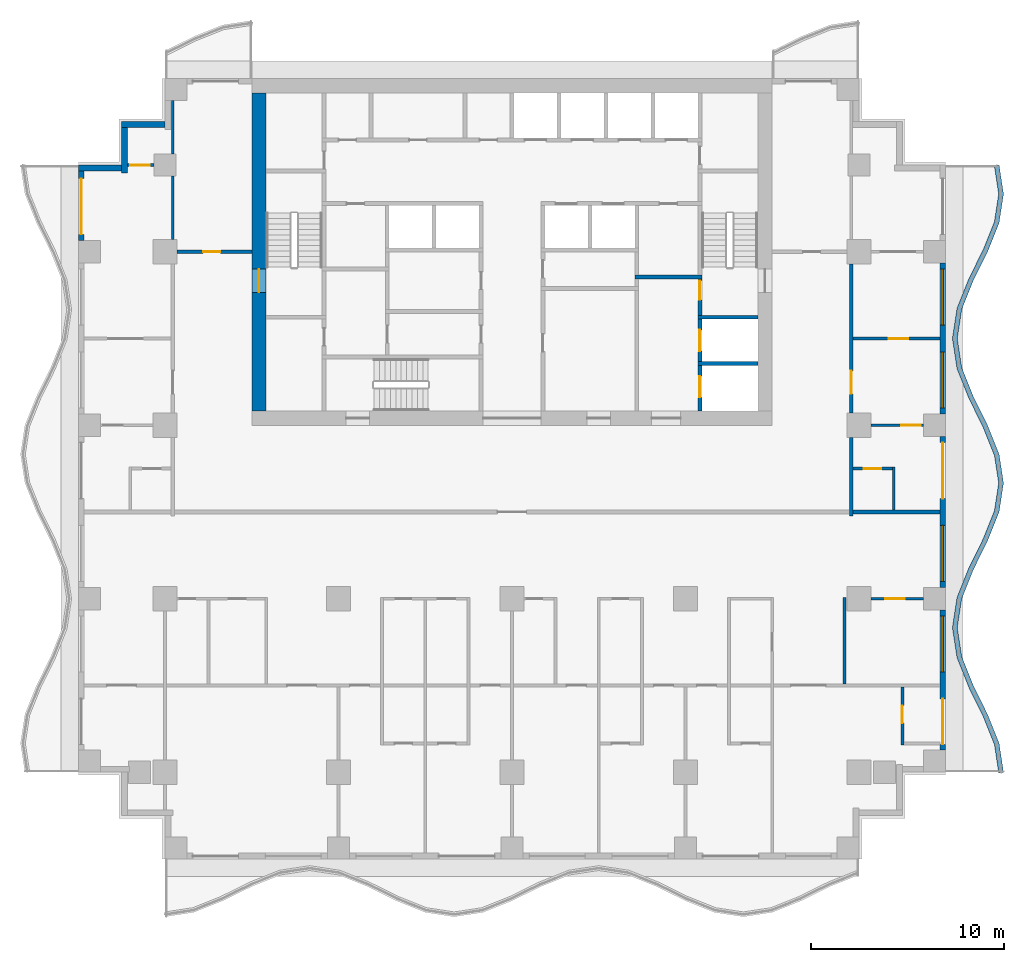
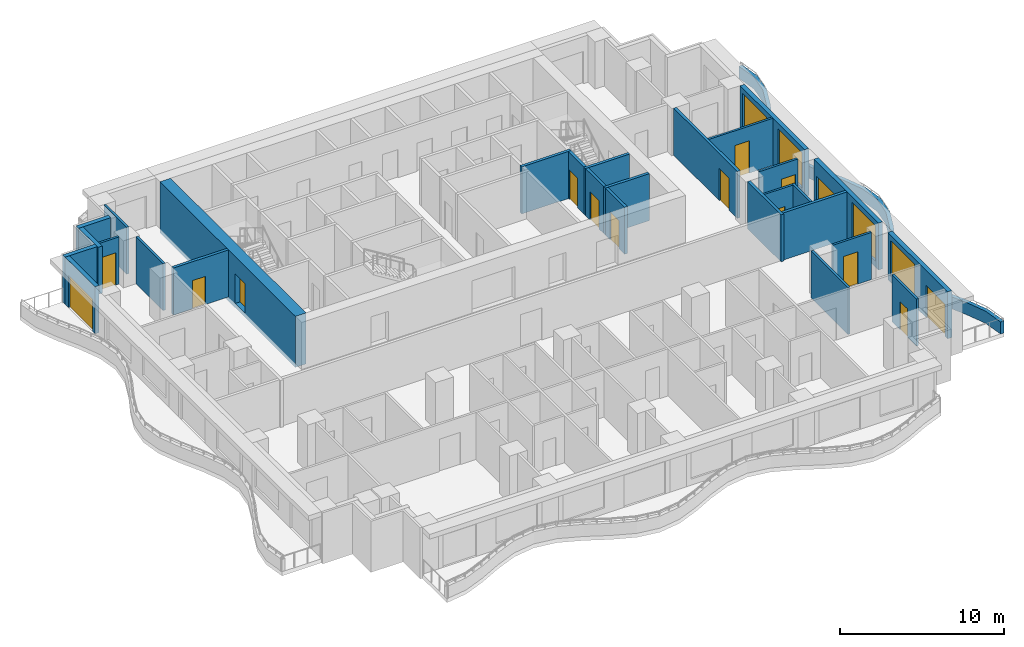
# One storey, part 4 of 10: 29 walls, 15 doors, 4 windows, 19 openings.
"""IFC4 building model written with IfcOpenShell, lengths in metres."""

import ifcopenshell
import ifcopenshell.guid

model = None  # the IFC model being written
_history = None  # IfcOwnerHistory: only IFC2X3 demands one
_inside = {}  # id of a spatial element -> (the spatial element, [elements in it])
_under = {}  # id of a project, library or spatial element -> (it, [spatial elements below it])
_declared = {}  # id of a project -> (the project, [libraries it declares])
_typed = {}  # id of a type object -> (the type object, [elements of that type])
_made_of = {}  # id of a material, layer set ... -> (it, [elements and type objects made of it])


def new_model(schema):
    """Start an empty IFC model of exactly this schema.

    Asked for "IFC4X3", IfcOpenShell would pick the latest addendum, in which some entities
    have other attributes; the version numbers below select the first issue.
    IFC2X3 requires an IfcOwnerHistory on every rooted entity: one is made here for all.
    """
    global model, _history
    if schema == "IFC4X3":
        model = ifcopenshell.file(schema_version=(4, 3, 0, 0))
    else:
        model = ifcopenshell.file(schema=schema)
    _inside.clear()
    _under.clear()
    _declared.clear()
    _typed.clear()
    _made_of.clear()
    _history = None
    if model.schema == "IFC2X3":
        org = make("IfcOrganization", Name="unknown")
        user = make(
            "IfcPersonAndOrganization",
            ThePerson=make("IfcPerson", FamilyName="unknown"),
            TheOrganization=org,
        )
        app = make(
            "IfcApplication",
            ApplicationDeveloper=org,
            Version="unknown",
            ApplicationFullName="unknown",
            ApplicationIdentifier="unknown",
        )
        _history = make(
            "IfcOwnerHistory",
            OwningUser=user,
            OwningApplication=app,
            ChangeAction="ADDED",
            CreationDate=0,
        )
    return model


def make(cls, **values):
    """One entity of the class cls with the attributes given. An attribute that is None is left unset."""
    return model.create_entity(
        cls, **{name: value for name, value in values.items() if value is not None}
    )


def rooted(cls, **values):
    """An entity with a GlobalId (a new one), such as an element, a storey or a relation."""
    return make(cls, GlobalId=ifcopenshell.guid.new(), OwnerHistory=_history, **values)


def si_unit(unit_type, name, prefix=None):
    """IfcSIUnit, for example si_unit("LENGTHUNIT", "METRE", prefix="MILLI")."""
    return make("IfcSIUnit", UnitType=unit_type, Prefix=prefix, Name=name)


def assignment(units):
    """IfcUnitAssignment: the units of a project."""
    return None if units is None else make("IfcUnitAssignment", Units=units)


def point(xyz):
    """IfcCartesianPoint."""
    return None if xyz is None else make("IfcCartesianPoint", Coordinates=xyz)


def direction(xyz):
    """IfcDirection."""
    return None if xyz is None else make("IfcDirection", DirectionRatios=xyz)


def frame(location, z_axis=None, x_axis=None):
    """IfcAxis2Placement3D, a coordinate frame: its origin and axes. An axis left out is left unset."""
    return make(
        "IfcAxis2Placement3D",
        Location=point(location),
        Axis=direction(z_axis),
        RefDirection=direction(x_axis),
    )


def frame_2d(location, x_axis=None):
    """IfcAxis2Placement2D, a coordinate frame in the plane: its origin and x axis."""
    return make(
        "IfcAxis2Placement2D", Location=point(location), RefDirection=direction(x_axis)
    )


def origin():
    """The frame at (0, 0, 0) with its axes left unset."""
    return frame((0.0, 0.0, 0.0))


def place(relative_to, where):
    """IfcLocalPlacement: puts the frame where relative to a parent placement (None: the world)."""
    return make(
        "IfcLocalPlacement", PlacementRelTo=relative_to, RelativePlacement=where
    )


def context(
    kind, dimensions, precision=None, world=None, true_north=None, identifier=None
):
    """IfcGeometricRepresentationContext, for example the 3D "Model" context."""
    return make(
        "IfcGeometricRepresentationContext",
        ContextIdentifier=identifier,
        ContextType=kind,
        CoordinateSpaceDimension=dimensions,
        Precision=precision,
        WorldCoordinateSystem=world,
        TrueNorth=true_north,
    )


def subcontext(parent, identifier, kind, view, scale=None):
    """IfcGeometricRepresentationSubContext, for example "Body" below "Model"."""
    return make(
        "IfcGeometricRepresentationSubContext",
        ContextIdentifier=identifier,
        ContextType=kind,
        ParentContext=parent,
        TargetScale=scale,
        TargetView=view,
    )


def project(units=None, contexts=None):
    """IfcProject with its units and contexts."""
    return rooted(
        "IfcProject",
        Name="project",
        RepresentationContexts=contexts,
        UnitsInContext=assignment(units),
    )


def spatial(cls, under=None, at=None, **own):
    """A site, building, storey or space (cls), placed at a placement, below another one or the project."""
    s = rooted(cls, ObjectPlacement=at, **own)
    if under is not None:
        _under.setdefault(under.id(), (under, []))[1].append(s)
    return s


def polyline(points):
    """IfcPolyline through the points."""
    return make("IfcPolyline", Points=[point(p) for p in points])


def profile(cls, at=None, kind="AREA", **sizes):
    """A parametric profile (cls). Its sizes go by their IFC names, for example OverallWidth=200.0."""
    return make(cls, ProfileType=kind, Position=at, **sizes)


def rectangle(**sizes):
    """IfcRectangleProfileDef."""
    return profile("IfcRectangleProfileDef", **sizes)


def outline(outer, holes=None, kind="AREA"):
    """IfcArbitraryClosedProfileDef: a profile drawn as a closed curve; with holes, ...WithVoids."""
    if holes is None:
        return make("IfcArbitraryClosedProfileDef", ProfileType=kind, OuterCurve=outer)
    return make(
        "IfcArbitraryProfileDefWithVoids",
        ProfileType=kind,
        OuterCurve=outer,
        InnerCurves=holes,
    )


def extrude(swept, where, along, depth):
    """IfcExtrudedAreaSolid: the profile swept, set in the frame where, extruded along a direction by depth."""
    return make(
        "IfcExtrudedAreaSolid",
        SweptArea=swept,
        Position=where,
        ExtrudedDirection=direction(along),
        Depth=depth,
    )


def shape(context_of_items, identifier, shape_type, items):
    """IfcShapeRepresentation: the items that make up one representation, for example the "Body"."""
    return make(
        "IfcShapeRepresentation",
        ContextOfItems=context_of_items,
        RepresentationIdentifier=identifier,
        RepresentationType=shape_type,
        Items=items,
    )


def material(Name=None, Category=None):
    """IfcMaterial."""
    return make("IfcMaterial", Name=Name, Category=Category)


def layer(
    of_material, thickness, ventilated=None, Name=None, Category=None, Priority=None
):
    """IfcMaterialLayer: one layer of a wall or slab, of a material (None: an air gap)."""
    return make(
        "IfcMaterialLayer",
        Material=of_material,
        LayerThickness=thickness,
        IsVentilated=ventilated,
        Name=Name,
        Category=Category,
        Priority=Priority,
    )


def layer_set(layers, Name=None):
    """IfcMaterialLayerSet."""
    return make("IfcMaterialLayerSet", MaterialLayers=layers, LayerSetName=Name)


def made_of(thing, what):
    """Note that an element or type object is made of a material, layer set ...; save() writes the relation."""
    if what is not None:
        _made_of.setdefault(what.id(), (what, []))[1].append(thing)
    return thing


def type_object(cls, material=None, **own):
    """A type object (cls), such as IfcWallType, which elements share."""
    return made_of(rooted(cls, **own), material)


def element(
    cls,
    number,
    at=None,
    inside=None,
    cuts=None,
    type_object=None,
    material=None,
    context=None,
    identifier="Body",
    shape_type=None,
    held_by="IfcProductDefinitionShape",
    body=None,
    shapes=None,
    **own,
):
    """One element of the class cls, such as IfcWall. Its Tag is "e" and its number.

    at: its placement. inside: the storey or other place that contains it. cuts: it is an
    opening in that element (IfcRelVoidsElement). A single representation is given by context,
    identifier, shape_type and body (its items); several are given by shapes. held_by: the class
    of the entity that holds the representations. save() writes the other relations.
    """
    e = rooted(cls, Tag="e%d" % number, ObjectPlacement=at, **own)
    if body is not None:
        shapes = [shape(context, identifier, shape_type, body)]
    if shapes is not None:
        e.Representation = make(held_by, Representations=shapes)
    if inside is not None:
        _inside.setdefault(inside.id(), (inside, []))[1].append(e)
    if cuts is not None:
        rooted(
            "IfcRelVoidsElement", RelatingBuildingElement=cuts, RelatedOpeningElement=e
        )
    if type_object is not None:
        _typed.setdefault(type_object.id(), (type_object, []))[1].append(e)
    return made_of(e, material)


def fill(opening, filler):
    """IfcRelFillsElement: the door or window that sits in an opening."""
    return rooted(
        "IfcRelFillsElement",
        RelatingOpeningElement=opening,
        RelatedBuildingElement=filler,
    )


def aggregate(whole, parts):
    """IfcRelAggregates: a whole, such as a stair, and the parts it consists of."""
    return rooted("IfcRelAggregates", RelatingObject=whole, RelatedObjects=parts)


def save(model, path):
    """Write the relations noted so far, then the file.

    IfcRelAggregates (storeys below a building ...), IfcRelContainedInSpatialStructure (elements
    in a storey), IfcRelDefinesByType, IfcRelAssociatesMaterial and IfcRelDeclares: one each for
    every whole, place, type object, material and project.
    """
    for whole, parts in _under.values():
        aggregate(whole, parts)
    for where, things in _inside.values():
        rooted(
            "IfcRelContainedInSpatialStructure",
            RelatedElements=things,
            RelatingStructure=where,
        )
    for kind, things in _typed.values():
        rooted("IfcRelDefinesByType", RelatedObjects=things, RelatingType=kind)
    for what, things in _made_of.values():
        rooted("IfcRelAssociatesMaterial", RelatedObjects=things, RelatingMaterial=what)
    for by, libraries in _declared.values():
        rooted("IfcRelDeclares", RelatingContext=by, RelatedDefinitions=libraries)
    model.write(path)


model = new_model("IFC4")

# Units and contexts
model_context = context("Model", 3, precision=1e-05, world=origin(), true_north=direction((0.0, 1.0)))
body_context = subcontext(model_context, "Body", "Model", "MODEL_VIEW")
ifc_project = project(units=[si_unit("LENGTHUNIT", "METRE"), si_unit("AREAUNIT", "SQUARE_METRE"), si_unit("VOLUMEUNIT", "CUBIC_METRE"), si_unit("PLANEANGLEUNIT", "RADIAN"), si_unit("MASSUNIT", "GRAM", prefix="KILO")], contexts=[model_context])

# Site, building, storey
site_placement = place(None, origin())
site = spatial("IfcSite", under=ifc_project, at=site_placement, CompositionType="ELEMENT")
building_placement = place(site_placement, origin())
building = spatial("IfcBuilding", under=site, at=building_placement, Name="Orbiselva Terraces", CompositionType="ELEMENT")
storey_placement = place(building_placement, frame((0.0, 0.0, 151.6)))
storey = spatial("IfcBuildingStorey", under=building, at=storey_placement, Name="L38", CompositionType="ELEMENT", Elevation=151.6)

# Wall, opening, door
ifc_material_1 = material(Name="Concrete C80/95", Category="concrete")
ifc_layer_1 = layer(ifc_material_1, 0.75)
ifc_layer_set_1 = layer_set([ifc_layer_1], Name="Concrete C80/95")
wall_type_1 = type_object("IfcWallType", Name="CORE WALL 750", PredefinedType="SHEAR", material=ifc_layer_set_1)
wall_1_placement = place(storey_placement, frame((-13.125, 21.75, -0.3), z_axis=(0.0, 0.0, 1.0), x_axis=(0.0, -1.0, 0.0)))
wall_1 = element("IfcWall", 1, at=wall_1_placement, inside=storey, type_object=wall_type_1, Name="Core wall L38 west", PredefinedType="SHEAR", context=body_context, shape_type="SweptSolid", body=[
    extrude(rectangle(XDim=16.5, YDim=0.75, at=frame_2d((8.25, 0.0))), origin(), (0.0, 0.0, 1.0), 3.8),
])
opening_1_placement = place(wall_1_placement, frame((9.15, 0.0, 0.3)))
opening_1 = element("IfcOpeningElement", 2, at=opening_1_placement, cuts=wall_1, Name="Opening DS1200", PredefinedType="OPENING", context=body_context, shape_type="SweptSolid", body=[
    extrude(rectangle(XDim=1.2, YDim=2.2, at=frame_2d((0.6, 1.1))), frame((0.0, 0.385, 0.0), z_axis=(0.0, -1.0, 0.0), x_axis=(1.0, 0.0, 0.0)), (0.0, 0.0, 1.0), 0.77),
])
ifc_material_2 = material(Name="Steel fire door", Category="steel")
door_type_1 = type_object("IfcDoorType", Name="STAIR DOOR 1200", OperationType="NOTDEFINED", PredefinedType="DOOR", material=ifc_material_2)
door_1_placement = place(opening_1_placement, frame((1.2, 0.0, 0.0), z_axis=(0.0, 0.0, 1.0), x_axis=(-1.0, 0.0, 0.0)))
door_1 = element("IfcDoor", 3, at=door_1_placement, inside=storey, type_object=door_type_1, Name="L38 EXIT STAIR S1 door", OperationType="SINGLE_SWING_RIGHT", OverallHeight=2.2, OverallWidth=1.2, PredefinedType="DOOR", context=body_context, shape_type="SweptSolid", body=[
    extrude(rectangle(XDim=1.2, YDim=2.2, at=frame_2d((0.6, 1.1))), frame((0.0, 0.025, 0.0), z_axis=(0.0, -1.0, 0.0), x_axis=(1.0, 0.0, 0.0)), (0.0, 0.0, 1.0), 0.05),
])
fill(opening_1, door_1)

# Wall
ifc_material_3 = material(Name="Concrete C60/75", Category="concrete")
ifc_layer_2 = layer(ifc_material_3, 0.2)
ifc_layer_set_2 = layer_set([ifc_layer_2], Name="Concrete C60/75")
wall_type_2 = type_object("IfcWallType", Name="CORE-WALL-SHEAR-200", PredefinedType="SHEAR", material=ifc_layer_set_2)
wall_2_placement = place(storey_placement, frame((6.375, 12.2, 0.0), z_axis=(0.0, 0.0, 1.0), x_axis=(1.0, 0.0, 0.0)))
element("IfcWall", 4, at=wall_2_placement, inside=storey, type_object=wall_type_2, Name="L38 core wall 39", PredefinedType="SHEAR", context=body_context, shape_type="SweptSolid", body=[
    extrude(rectangle(XDim=3.475, YDim=0.2, at=frame_2d((1.7375, 0.0))), origin(), (0.0, 0.0, 1.0), 3.5),
])

# Wall, opening, door
wall_3_placement = place(storey_placement, frame((9.75, 5.25, 0.0), z_axis=(0.0, 0.0, 1.0), x_axis=(0.0, 1.0, 0.0)))
wall_3 = element("IfcWall", 5, at=wall_3_placement, inside=storey, type_object=wall_type_2, Name="L38 core wall 43", PredefinedType="SHEAR", context=body_context, shape_type="SweptSolid", body=[
    extrude(rectangle(XDim=2.35, YDim=0.2, at=frame_2d((1.175, 0.0))), origin(), (0.0, 0.0, 1.0), 3.5),
])
opening_2_placement = place(wall_3_placement, frame((0.7, 0.0, 0.0)))
opening_2 = element("IfcOpeningElement", 6, at=opening_2_placement, cuts=wall_3, Name="Opening LD-FF1", PredefinedType="OPENING", context=body_context, shape_type="SweptSolid", body=[
    extrude(rectangle(XDim=1.1, YDim=2.1, at=frame_2d((0.55, 1.05))), frame((0.0, 0.11, 0.0), z_axis=(0.0, -1.0, 0.0), x_axis=(1.0, 0.0, 0.0)), (0.0, 0.0, 1.0), 0.22),
])
ifc_material_4 = material(Name="Stainless steel landing door", Category="steel")
door_type_2 = type_object("IfcDoorType", Name="LANDING DOOR 1100", OperationType="SLIDING_TO_LEFT", PredefinedType="DOOR", material=ifc_material_4)
door_2_placement = place(opening_2_placement, origin())
door_2 = element("IfcDoor", 7, at=door_2_placement, inside=storey, type_object=door_type_2, Name="L38 landing door FF1", OperationType="SLIDING_TO_RIGHT", OverallHeight=2.1, OverallWidth=1.1, PredefinedType="DOOR", context=body_context, shape_type="SweptSolid", body=[
    extrude(rectangle(XDim=1.1, YDim=2.1, at=frame_2d((0.55, 1.05))), frame((0.0, 0.025, 0.0), z_axis=(0.0, -1.0, 0.0), x_axis=(1.0, 0.0, 0.0)), (0.0, 0.0, 1.0), 0.05),
])
fill(opening_2, door_2)

# Wall
wall_4_placement = place(storey_placement, frame((9.65, 7.7, 0.0), z_axis=(0.0, 0.0, 1.0), x_axis=(1.0, 0.0, 0.0)))
element("IfcWall", 8, at=wall_4_placement, inside=storey, type_object=wall_type_2, Name="L38 core wall 44", PredefinedType="SHEAR", context=body_context, shape_type="SweptSolid", body=[
    extrude(rectangle(XDim=3.1, YDim=0.2, at=frame_2d((1.55, 0.0))), origin(), (0.0, 0.0, 1.0), 3.5),
])

# Wall, opening, door
wall_5_placement = place(storey_placement, frame((9.75, 7.8, 0.0), z_axis=(0.0, 0.0, 1.0), x_axis=(0.0, 1.0, 0.0)))
wall_5 = element("IfcWall", 9, at=wall_5_placement, inside=storey, type_object=wall_type_2, Name="L38 core wall 45", PredefinedType="SHEAR", context=body_context, shape_type="SweptSolid", body=[
    extrude(rectangle(XDim=2.2, YDim=0.2, at=frame_2d((1.1, 0.0))), origin(), (0.0, 0.0, 1.0), 3.5),
])
opening_3_placement = place(wall_5_placement, frame((0.55, 0.0, 0.0)))
opening_3 = element("IfcOpeningElement", 10, at=opening_3_placement, cuts=wall_5, Name="Opening LD-FF2", PredefinedType="OPENING", context=body_context, shape_type="SweptSolid", body=[
    extrude(rectangle(XDim=1.1, YDim=2.1, at=frame_2d((0.55, 1.05))), frame((0.0, 0.11, 0.0), z_axis=(0.0, -1.0, 0.0), x_axis=(1.0, 0.0, 0.0)), (0.0, 0.0, 1.0), 0.22),
])
door_3_placement = place(opening_3_placement, origin())
door_3 = element("IfcDoor", 11, at=door_3_placement, inside=storey, type_object=door_type_2, Name="L38 landing door FF2", OperationType="SLIDING_TO_RIGHT", OverallHeight=2.1, OverallWidth=1.1, PredefinedType="DOOR", context=body_context, shape_type="SweptSolid", body=[
    extrude(rectangle(XDim=1.1, YDim=2.1, at=frame_2d((0.55, 1.05))), frame((0.0, 0.025, 0.0), z_axis=(0.0, -1.0, 0.0), x_axis=(1.0, 0.0, 0.0)), (0.0, 0.0, 1.0), 0.05),
])
fill(opening_3, door_3)

# Wall
wall_6_placement = place(storey_placement, frame((9.65, 10.1, 0.0), z_axis=(0.0, 0.0, 1.0), x_axis=(1.0, 0.0, 0.0)))
element("IfcWall", 12, at=wall_6_placement, inside=storey, type_object=wall_type_2, Name="L38 core wall 46", PredefinedType="SHEAR", context=body_context, shape_type="SweptSolid", body=[
    extrude(rectangle(XDim=3.1, YDim=0.2, at=frame_2d((1.55, 0.0))), origin(), (0.0, 0.0, 1.0), 3.5),
])

# Wall, opening, door
wall_7_placement = place(storey_placement, frame((9.75, 12.1, 0.0), z_axis=(0.0, 0.0, 1.0), x_axis=(0.0, -1.0, 0.0)))
wall_7 = element("IfcWall", 13, at=wall_7_placement, inside=storey, type_object=wall_type_2, Name="L38 core wall 47", PredefinedType="SHEAR", context=body_context, shape_type="SweptSolid", body=[
    extrude(rectangle(XDim=1.9, YDim=0.2, at=frame_2d((0.95, 0.0))), origin(), (0.0, 0.0, 1.0), 3.5),
])
opening_4_placement = place(wall_7_placement, frame((0.1, 0.0, 0.0)))
opening_4 = element("IfcOpeningElement", 14, at=opening_4_placement, cuts=wall_7, Name="Opening DS1000", PredefinedType="OPENING", context=body_context, shape_type="SweptSolid", body=[
    extrude(rectangle(XDim=1.0, YDim=2.2, at=frame_2d((0.5, 1.1))), frame((0.0, 0.11, 0.0), z_axis=(0.0, -1.0, 0.0), x_axis=(1.0, 0.0, 0.0)), (0.0, 0.0, 1.0), 0.22),
])
door_type_3 = type_object("IfcDoorType", Name="STAIR DOOR 1000", OperationType="NOTDEFINED", PredefinedType="DOOR", material=ifc_material_2)
door_4_placement = place(opening_4_placement, origin())
door_4 = element("IfcDoor", 15, at=door_4_placement, inside=storey, type_object=door_type_3, Name="L38 FIRE-FIGHTING LOBBY TO EXIT STAIR S2 door", OperationType="SINGLE_SWING_LEFT", OverallHeight=2.2, OverallWidth=1.0, PredefinedType="DOOR", context=body_context, shape_type="SweptSolid", body=[
    extrude(rectangle(XDim=1.0, YDim=2.2, at=frame_2d((0.5, 1.1))), frame((0.0, 0.025, 0.0), z_axis=(0.0, -1.0, 0.0), x_axis=(1.0, 0.0, 0.0)), (0.0, 0.0, 1.0), 0.05),
])
fill(opening_4, door_4)

# Wall
ifc_material_5 = material(Name="Concrete C40/50", Category="concrete")
ifc_layer_3 = layer(ifc_material_5, 0.25)
ifc_layer_set_3 = layer_set([ifc_layer_3], Name="Concrete C40/50")
wall_type_3 = type_object("IfcWallType", Name="ENV-PLANTER-250x900", PredefinedType="USERDEFINED", material=ifc_layer_set_3)
wall_8_placement = place(storey_placement, origin())
element("IfcWall", 16, at=wall_8_placement, inside=storey, type_object=wall_type_3, Name="Balcony planter L38 E", ObjectType="PLANTER", PredefinedType="USERDEFINED", context=body_context, shape_type="SweptSolid", body=[
    extrude(outline(polyline([(25.5, -13.5), (25.27082, -12.0), (24.67082, -10.5), (23.92918, -9.0), (23.32918, -7.5), (23.1, -6.0), (23.32918, -4.5), (23.92918, -3.0), (24.67082, -1.5), (25.27082, 0.0), (25.5, 1.5), (25.27082, 3.0), (24.67082, 4.5), (23.92918, 6.0), (23.32918, 7.5), (23.1, 9.0), (23.32918, 10.5), (23.92918, 12.0), (24.67082, 13.5), (25.27082, 15.0), (25.5, 16.5), (25.27082, 18.0), (25.023688, 17.962242), (25.247099, 16.5), (25.028028, 15.066166), (24.442355, 13.601983), (23.700715, 12.101983), (23.086388, 10.566166), (22.847099, 9.0), (23.086388, 7.433834), (23.700715, 5.898017), (24.442355, 4.398017), (25.028028, 2.933834), (25.247099, 1.5), (25.028028, 0.066166), (24.442355, -1.398017), (23.700715, -2.898017), (23.086388, -4.433834), (22.847099, -6.0), (23.086388, -7.566166), (23.700715, -9.101983), (24.442355, -10.601983), (25.028028, -12.066166), (25.252868, -13.537758), (25.5, -13.5)])), origin(), (0.0, 0.0, 1.0), 0.9),
])

# Wall, openings, door, window
ifc_material_6 = material(Name="Terracotta cladding on masonry backing", Category="masonry")
ifc_layer_4 = layer(ifc_material_6, 0.3)
ifc_layer_set_4 = layer_set([ifc_layer_4], Name="Terracotta cladding on masonry backing")
wall_type_4 = type_object("IfcWallType", Name="ENV-WALL-TERRACOTTA-300", PredefinedType="SOLIDWALL", material=ifc_layer_set_4)
wall_9_placement = place(storey_placement, frame((22.35, -5.075, 0.0), z_axis=(0.0, 0.0, 1.0), x_axis=(0.0, -1.0, 0.0)))
wall_9 = element("IfcWall", 17, at=wall_9_placement, inside=storey, type_object=wall_type_4, Name="Facade wall L38 E", PredefinedType="SOLIDWALL", context=body_context, shape_type="SweptSolid", body=[
    extrude(rectangle(XDim=7.275, YDim=0.3, at=frame_2d((3.6375, 0.0))), origin(), (0.0, 0.0, 1.0), 3.5),
])
opening_5_placement = place(wall_9_placement, frame((4.625, 0.0, 0.0)))
opening_5 = element("IfcOpeningElement", 18, at=opening_5_placement, cuts=wall_9, Name="Opening Z3-C-E05", PredefinedType="OPENING", context=body_context, shape_type="SweptSolid", body=[
    extrude(rectangle(XDim=2.35, YDim=2.4, at=frame_2d((1.175, 1.2))), frame((0.0, 0.16, 0.0), z_axis=(0.0, -1.0, 0.0), x_axis=(1.0, 0.0, 0.0)), (0.0, 0.0, 1.0), 0.32),
])
opening_6_placement = place(wall_9_placement, frame((0.325, 0.0, 0.45)))
opening_6 = element("IfcOpeningElement", 19, at=opening_6_placement, cuts=wall_9, Name="Opening WN8", PredefinedType="OPENING", context=body_context, shape_type="SweptSolid", body=[
    extrude(rectangle(XDim=2.9, YDim=2.65, at=frame_2d((1.45, 1.325))), frame((0.0, 0.16, 0.0), z_axis=(0.0, -1.0, 0.0), x_axis=(1.0, 0.0, 0.0)), (0.0, 0.0, 1.0), 0.32),
])
ifc_material_7 = material(Name="Clear low-e glazing in aluminium frame", Category="aluminium")
door_type_4 = type_object("IfcDoorType", Name="BALCONY DOOR 2350 X 2400", OperationType="DOUBLE_DOOR_SLIDING", PredefinedType="DOOR", material=ifc_material_7)
door_5_placement = place(opening_5_placement, origin())
door_5 = element("IfcDoor", 20, at=door_5_placement, inside=storey, type_object=door_type_4, Name="Z3-C-E05", OperationType="SINGLE_SWING_LEFT", OverallHeight=2.4, OverallWidth=2.35, PredefinedType="DOOR", context=body_context, shape_type="SweptSolid", body=[
    extrude(rectangle(XDim=2.35, YDim=2.4, at=frame_2d((1.175, 1.2))), frame((0.0, 0.025, 0.0), z_axis=(0.0, -1.0, 0.0), x_axis=(1.0, 0.0, 0.0)), (0.0, 0.0, 1.0), 0.05),
])
fill(opening_5, door_5)
window_type = type_object("IfcWindowType", Name="WINDOW 2900 X 2650 S450", PartitioningType="TRIPLE_PANEL_VERTICAL", PredefinedType="WINDOW", material=ifc_material_7)
window_1_placement = place(opening_6_placement, origin())
window_1 = element("IfcWindow", 21, at=window_1_placement, inside=storey, type_object=window_type, Name="Window L38 E", OverallHeight=2.65, OverallWidth=2.9, PartitioningType="SINGLE_PANEL", PredefinedType="WINDOW", context=body_context, shape_type="SweptSolid", body=[
    extrude(rectangle(XDim=2.9, YDim=2.65, at=frame_2d((1.45, 1.325))), frame((0.0, 0.03, 0.0), z_axis=(0.0, -1.0, 0.0), x_axis=(1.0, 0.0, 0.0)), (0.0, 0.0, 1.0), 0.06),
])
fill(opening_6, window_1)

wall_10_placement = place(storey_placement, frame((22.35, 3.925, 0.0), z_axis=(0.0, 0.0, 1.0), x_axis=(0.0, -1.0, 0.0)))
wall_10 = element("IfcWall", 22, at=wall_10_placement, inside=storey, type_object=wall_type_4, Name="Facade wall L38 E", PredefinedType="SOLIDWALL", context=body_context, shape_type="SweptSolid", body=[
    extrude(rectangle(XDim=7.85, YDim=0.3, at=frame_2d((3.925, 0.0))), origin(), (0.0, 0.0, 1.0), 3.5),
])
opening_7_placement = place(wall_10_placement, frame((4.625, 0.0, 0.45)))
opening_7 = element("IfcOpeningElement", 23, at=opening_7_placement, cuts=wall_10, Name="Opening WN8", PredefinedType="OPENING", context=body_context, shape_type="SweptSolid", body=[
    extrude(rectangle(XDim=2.9, YDim=2.65, at=frame_2d((1.45, 1.325))), frame((0.0, 0.16, 0.0), z_axis=(0.0, -1.0, 0.0), x_axis=(1.0, 0.0, 0.0)), (0.0, 0.0, 1.0), 0.32),
])
opening_8_placement = place(wall_10_placement, frame((0.325, 0.0, 0.0)))
opening_8 = element("IfcOpeningElement", 24, at=opening_8_placement, cuts=wall_10, Name="Opening Z3-C-E06", PredefinedType="OPENING", context=body_context, shape_type="SweptSolid", body=[
    extrude(rectangle(XDim=2.9, YDim=2.4, at=frame_2d((1.45, 1.2))), frame((0.0, 0.16, 0.0), z_axis=(0.0, -1.0, 0.0), x_axis=(1.0, 0.0, 0.0)), (0.0, 0.0, 1.0), 0.32),
])
door_type_5 = type_object("IfcDoorType", Name="BALCONY DOOR 2900 X 2400", OperationType="DOUBLE_DOOR_SLIDING", PredefinedType="DOOR", material=ifc_material_7)
door_6_placement = place(opening_8_placement, origin())
door_6 = element("IfcDoor", 25, at=door_6_placement, inside=storey, type_object=door_type_5, Name="Z3-C-E06", OperationType="SINGLE_SWING_LEFT", OverallHeight=2.4, OverallWidth=2.9, PredefinedType="DOOR", context=body_context, shape_type="SweptSolid", body=[
    extrude(rectangle(XDim=2.9, YDim=2.4, at=frame_2d((1.45, 1.2))), frame((0.0, 0.025, 0.0), z_axis=(0.0, -1.0, 0.0), x_axis=(1.0, 0.0, 0.0)), (0.0, 0.0, 1.0), 0.05),
])
fill(opening_8, door_6)
window_2_placement = place(opening_7_placement, origin())
window_2 = element("IfcWindow", 26, at=window_2_placement, inside=storey, type_object=window_type, Name="Window L38 E", OverallHeight=2.65, OverallWidth=2.9, PartitioningType="SINGLE_PANEL", PredefinedType="WINDOW", context=body_context, shape_type="SweptSolid", body=[
    extrude(rectangle(XDim=2.9, YDim=2.65, at=frame_2d((1.45, 1.325))), frame((0.0, 0.03, 0.0), z_axis=(0.0, -1.0, 0.0), x_axis=(1.0, 0.0, 0.0)), (0.0, 0.0, 1.0), 0.06),
])
fill(opening_7, window_2)

# Wall, openings, windows
wall_11_placement = place(storey_placement, frame((22.35, 12.925, 0.0), z_axis=(0.0, 0.0, 1.0), x_axis=(0.0, -1.0, 0.0)))
wall_11 = element("IfcWall", 27, at=wall_11_placement, inside=storey, type_object=wall_type_4, Name="Facade wall L38 E", PredefinedType="SOLIDWALL", context=body_context, shape_type="SweptSolid", body=[
    extrude(rectangle(XDim=7.85, YDim=0.3, at=frame_2d((3.925, 0.0))), origin(), (0.0, 0.0, 1.0), 3.5),
])
opening_9_placement = place(wall_11_placement, frame((4.625, 0.0, 0.45)))
opening_9 = element("IfcOpeningElement", 28, at=opening_9_placement, cuts=wall_11, Name="Opening WN8", PredefinedType="OPENING", context=body_context, shape_type="SweptSolid", body=[
    extrude(rectangle(XDim=2.9, YDim=2.65, at=frame_2d((1.45, 1.325))), frame((0.0, 0.16, 0.0), z_axis=(0.0, -1.0, 0.0), x_axis=(1.0, 0.0, 0.0)), (0.0, 0.0, 1.0), 0.32),
])
opening_10_placement = place(wall_11_placement, frame((0.325, 0.0, 0.45)))
opening_10 = element("IfcOpeningElement", 29, at=opening_10_placement, cuts=wall_11, Name="Opening WN8", PredefinedType="OPENING", context=body_context, shape_type="SweptSolid", body=[
    extrude(rectangle(XDim=2.9, YDim=2.65, at=frame_2d((1.45, 1.325))), frame((0.0, 0.16, 0.0), z_axis=(0.0, -1.0, 0.0), x_axis=(1.0, 0.0, 0.0)), (0.0, 0.0, 1.0), 0.32),
])
window_3_placement = place(opening_9_placement, origin())
window_3 = element("IfcWindow", 30, at=window_3_placement, inside=storey, type_object=window_type, Name="Window L38 E", OverallHeight=2.65, OverallWidth=2.9, PartitioningType="SINGLE_PANEL", PredefinedType="WINDOW", context=body_context, shape_type="SweptSolid", body=[
    extrude(rectangle(XDim=2.9, YDim=2.65, at=frame_2d((1.45, 1.325))), frame((0.0, 0.03, 0.0), z_axis=(0.0, -1.0, 0.0), x_axis=(1.0, 0.0, 0.0)), (0.0, 0.0, 1.0), 0.06),
])
fill(opening_9, window_3)
window_4_placement = place(opening_10_placement, origin())
window_4 = element("IfcWindow", 31, at=window_4_placement, inside=storey, type_object=window_type, Name="Window L38 E", OverallHeight=2.65, OverallWidth=2.9, PartitioningType="SINGLE_PANEL", PredefinedType="WINDOW", context=body_context, shape_type="SweptSolid", body=[
    extrude(rectangle(XDim=2.9, YDim=2.65, at=frame_2d((1.45, 1.325))), frame((0.0, 0.03, 0.0), z_axis=(0.0, -1.0, 0.0), x_axis=(1.0, 0.0, 0.0)), (0.0, 0.0, 1.0), 0.06),
])
fill(opening_10, window_4)

# Walls
wall_12_placement = place(storey_placement, frame((-20.25, 20.1, 0.0), z_axis=(0.0, 0.0, 1.0), x_axis=(1.0, 0.0, 0.0)))
element("IfcWall", 32, at=wall_12_placement, inside=storey, type_object=wall_type_4, Name="Facade wall L38 STEP", PredefinedType="SOLIDWALL", context=body_context, shape_type="SweptSolid", body=[
    extrude(rectangle(XDim=2.25, YDim=0.3, at=frame_2d((1.125, 0.0))), origin(), (0.0, 0.0, 1.0), 3.5),
])
wall_13_placement = place(storey_placement, frame((-20.1, 17.6, 0.0), z_axis=(0.0, 0.0, 1.0), x_axis=(0.0, 1.0, 0.0)))
element("IfcWall", 33, at=wall_13_placement, inside=storey, type_object=wall_type_4, Name="Facade wall L38 STEP", PredefinedType="SOLIDWALL", context=body_context, shape_type="SweptSolid", body=[
    extrude(rectangle(XDim=2.35, YDim=0.3, at=frame_2d((1.175, 0.0))), origin(), (0.0, 0.0, 1.0), 3.5),
])
wall_14_placement = place(storey_placement, frame((-22.5, 17.85, 0.0), z_axis=(0.0, 0.0, 1.0), x_axis=(1.0, 0.0, 0.0)))
element("IfcWall", 34, at=wall_14_placement, inside=storey, type_object=wall_type_4, Name="Facade wall L38 STEP", PredefinedType="SOLIDWALL", context=body_context, shape_type="SweptSolid", body=[
    extrude(rectangle(XDim=2.25, YDim=0.3, at=frame_2d((1.125, 0.0))), origin(), (0.0, 0.0, 1.0), 3.5),
])

# Wall, opening, door
wall_15_placement = place(storey_placement, frame((-22.35, 14.075, 0.0), z_axis=(0.0, 0.0, 1.0), x_axis=(0.0, 1.0, 0.0)))
wall_15 = element("IfcWall", 35, at=wall_15_placement, inside=storey, type_object=wall_type_4, Name="Facade wall L38 W", PredefinedType="SOLIDWALL", context=body_context, shape_type="SweptSolid", body=[
    extrude(rectangle(XDim=3.625, YDim=0.3, at=frame_2d((1.8125, 0.0))), origin(), (0.0, 0.0, 1.0), 3.5),
])
opening_11_placement = place(wall_15_placement, frame((0.325, 0.0, 0.0)))
opening_11 = element("IfcOpeningElement", 36, at=opening_11_placement, cuts=wall_15, Name="Opening Z3-C-E10", PredefinedType="OPENING", context=body_context, shape_type="SweptSolid", body=[
    extrude(rectangle(XDim=2.9, YDim=2.4, at=frame_2d((1.45, 1.2))), frame((0.0, 0.16, 0.0), z_axis=(0.0, -1.0, 0.0), x_axis=(1.0, 0.0, 0.0)), (0.0, 0.0, 1.0), 0.32),
])
door_7_placement = place(opening_11_placement, origin())
door_7 = element("IfcDoor", 37, at=door_7_placement, inside=storey, type_object=door_type_5, Name="Z3-C-E10", OperationType="SINGLE_SWING_LEFT", OverallHeight=2.4, OverallWidth=2.9, PredefinedType="DOOR", context=body_context, shape_type="SweptSolid", body=[
    extrude(rectangle(XDim=2.9, YDim=2.4, at=frame_2d((1.45, 1.2))), frame((0.0, 0.025, 0.0), z_axis=(0.0, -1.0, 0.0), x_axis=(1.0, 0.0, 0.0)), (0.0, 0.0, 1.0), 0.05),
])
fill(opening_11, door_7)

ifc_material_8 = material(Name="Plasterboard on steel stud partition", Category="steel")
ifc_layer_5 = layer(ifc_material_8, 0.2)
ifc_layer_set_5 = layer_set([ifc_layer_5], Name="Plasterboard on steel stud partition")
wall_type_5 = type_object("IfcWallType", Name="UNIT-ENTRANCE-WALL-200", PredefinedType="PARTITIONING", material=ifc_layer_set_5)
wall_16_placement = place(storey_placement, frame((-17.375, 13.5, 0.0), z_axis=(0.0, 0.0, 1.0), x_axis=(1.0, 0.0, 0.0)))
wall_16 = element("IfcWall", 38, at=wall_16_placement, inside=storey, type_object=wall_type_5, Name="PARTITION L38-031", PredefinedType="PARTITIONING", context=body_context, shape_type="SweptSolid", body=[
    extrude(rectangle(XDim=3.875, YDim=0.2, at=frame_2d((1.9375, 0.0))), origin(), (0.0, 0.0, 1.0), 3.5),
])
opening_12_placement = place(wall_16_placement, frame((1.35, 0.0, 0.0)))
opening_12 = element("IfcOpeningElement", 39, at=opening_12_placement, cuts=wall_16, Name="Opening Z3-C-01", PredefinedType="OPENING", context=body_context, shape_type="SweptSolid", body=[
    extrude(rectangle(XDim=0.9, YDim=2.1, at=frame_2d((0.45, 1.05))), frame((0.0, 0.11, 0.0), z_axis=(0.0, -1.0, 0.0), x_axis=(1.0, 0.0, 0.0)), (0.0, 0.0, 1.0), 0.22),
])
ifc_material_9 = material(Name="Painted timber door leaf", Category="wood")
door_type_6 = type_object("IfcDoorType", Name="SERVICE DOOR 900", OperationType="NOTDEFINED", PredefinedType="DOOR", material=ifc_material_9)
door_8_placement = place(opening_12_placement, origin())
door_8 = element("IfcDoor", 40, at=door_8_placement, inside=storey, type_object=door_type_6, Name="Z3-C-01", OperationType="SINGLE_SWING_LEFT", OverallHeight=2.1, OverallWidth=0.9, PredefinedType="DOOR", context=body_context, shape_type="SweptSolid", body=[
    extrude(rectangle(XDim=0.9, YDim=2.1, at=frame_2d((0.45, 1.05))), frame((0.0, 0.025, 0.0), z_axis=(0.0, -1.0, 0.0), x_axis=(1.0, 0.0, 0.0)), (0.0, 0.0, 1.0), 0.05),
])
fill(opening_12, door_8)

# Wall
wall_17_placement = place(storey_placement, frame((17.6, -0.2, 0.0), z_axis=(0.0, 0.0, 1.0), x_axis=(0.0, 1.0, 0.0)))
element("IfcWall", 41, at=wall_17_placement, inside=storey, type_object=wall_type_5, Name="PARTITION L38-059", PredefinedType="PARTITIONING", context=body_context, shape_type="SweptSolid", body=[
    extrude(rectangle(XDim=4.075, YDim=0.2, at=frame_2d((2.0375, 0.0))), origin(), (0.0, 0.0, 1.0), 3.5),
])

# Wall, opening, door
wall_18_placement = place(storey_placement, frame((17.6, 12.875, 0.0), z_axis=(0.0, 0.0, 1.0), x_axis=(0.0, -1.0, 0.0)))
wall_18 = element("IfcWall", 42, at=wall_18_placement, inside=storey, type_object=wall_type_5, Name="PARTITION L38-060", PredefinedType="PARTITIONING", context=body_context, shape_type="SweptSolid", body=[
    extrude(rectangle(XDim=7.75, YDim=0.2, at=frame_2d((3.875, 0.0))), origin(), (0.0, 0.0, 1.0), 3.5),
])
opening_13_placement = place(wall_18_placement, frame((5.55, 0.0, 0.0)))
opening_13 = element("IfcOpeningElement", 43, at=opening_13_placement, cuts=wall_18, Name="Opening Z3-C-10", PredefinedType="OPENING", context=body_context, shape_type="SweptSolid", body=[
    extrude(rectangle(XDim=1.2, YDim=2.4, at=frame_2d((0.6, 1.2))), frame((0.0, 0.11, 0.0), z_axis=(0.0, -1.0, 0.0), x_axis=(1.0, 0.0, 0.0)), (0.0, 0.0, 1.0), 0.22),
])
door_type_7 = type_object("IfcDoorType", Name="ENTRANCE DOOR 1200", OperationType="NOTDEFINED", PredefinedType="DOOR", material=ifc_material_9)
door_9_placement = place(opening_13_placement, origin())
door_9 = element("IfcDoor", 44, at=door_9_placement, inside=storey, type_object=door_type_7, Name="Z3-C-10", OperationType="SINGLE_SWING_RIGHT", OverallHeight=2.4, OverallWidth=1.2, PredefinedType="DOOR", context=body_context, shape_type="SweptSolid", body=[
    extrude(rectangle(XDim=1.2, YDim=2.4, at=frame_2d((0.6, 1.2))), frame((0.0, 0.025, 0.0), z_axis=(0.0, -1.0, 0.0), x_axis=(1.0, 0.0, 0.0)), (0.0, 0.0, 1.0), 0.05),
])
fill(opening_13, door_9)

ifc_layer_6 = layer(ifc_material_8, 0.15)
ifc_layer_set_6 = layer_set([ifc_layer_6], Name="Plasterboard on steel stud partition")
wall_type_6 = type_object("IfcWallType", Name="UNIT-PARTITION-150", PredefinedType="PARTITIONING", material=ifc_layer_set_6)
wall_19_placement = place(storey_placement, frame((21.35, -4.5, 0.0), z_axis=(0.0, 0.0, 1.0), x_axis=(-1.0, 0.0, 0.0)))
wall_19 = element("IfcWall", 45, at=wall_19_placement, inside=storey, type_object=wall_type_6, Name="PARTITION L38-021", PredefinedType="PARTITIONING", context=body_context, shape_type="SweptSolid", body=[
    extrude(rectangle(XDim=2.725, YDim=0.15, at=frame_2d((1.3625, 0.0))), origin(), (0.0, 0.0, 1.0), 3.5),
])
opening_14_placement = place(wall_19_placement, frame((0.975, 0.0, 0.0)))
opening_14 = element("IfcOpeningElement", 46, at=opening_14_placement, cuts=wall_19, Name="Opening Z3-C-14", PredefinedType="OPENING", context=body_context, shape_type="SweptSolid", body=[
    extrude(rectangle(XDim=1.0, YDim=2.4, at=frame_2d((0.5, 1.2))), frame((0.0, 0.085, 0.0), z_axis=(0.0, -1.0, 0.0), x_axis=(1.0, 0.0, 0.0)), (0.0, 0.0, 1.0), 0.17),
])
door_type_8 = type_object("IfcDoorType", Name="ROOM DOOR 1000", OperationType="NOTDEFINED", PredefinedType="DOOR", material=ifc_material_9)
door_10_placement = place(opening_14_placement, origin())
door_10 = element("IfcDoor", 47, at=door_10_placement, inside=storey, type_object=door_type_8, Name="Z3-C-14", OperationType="SINGLE_SWING_RIGHT", OverallHeight=2.4, OverallWidth=1.0, PredefinedType="DOOR", context=body_context, shape_type="SweptSolid", body=[
    extrude(rectangle(XDim=1.0, YDim=2.4, at=frame_2d((0.5, 1.2))), frame((0.0, 0.025, 0.0), z_axis=(0.0, -1.0, 0.0), x_axis=(1.0, 0.0, 0.0)), (0.0, 0.0, 1.0), 0.05),
])
fill(opening_14, door_10)

wall_20_placement = place(storey_placement, frame((19.73, 2.25, 0.0), z_axis=(0.0, 0.0, 1.0), x_axis=(-1.0, 0.0, 0.0)))
wall_20 = element("IfcWall", 48, at=wall_20_placement, inside=storey, type_object=wall_type_6, Name="PARTITION L38-026", PredefinedType="PARTITIONING", context=body_context, shape_type="SweptSolid", body=[
    extrude(rectangle(XDim=2.03, YDim=0.15, at=frame_2d((1.015, 0.0))), origin(), (0.0, 0.0, 1.0), 3.5),
])
opening_15_placement = place(wall_20_placement, frame((0.58, 0.0, 0.0)))
opening_15 = element("IfcOpeningElement", 49, at=opening_15_placement, cuts=wall_20, Name="Opening Z3-C-09", PredefinedType="OPENING", context=body_context, shape_type="SweptSolid", body=[
    extrude(rectangle(XDim=0.9, YDim=2.1, at=frame_2d((0.45, 1.05))), frame((0.0, 0.085, 0.0), z_axis=(0.0, -1.0, 0.0), x_axis=(1.0, 0.0, 0.0)), (0.0, 0.0, 1.0), 0.17),
])
door_type_9 = type_object("IfcDoorType", Name="BATH DOOR 900", OperationType="NOTDEFINED", PredefinedType="DOOR", material=ifc_material_9)
door_11_placement = place(opening_15_placement, origin())
door_11 = element("IfcDoor", 50, at=door_11_placement, inside=storey, type_object=door_type_9, Name="Z3-C-09", OperationType="SINGLE_SWING_RIGHT", OverallHeight=2.1, OverallWidth=0.9, PredefinedType="DOOR", context=body_context, shape_type="SweptSolid", body=[
    extrude(rectangle(XDim=0.9, YDim=2.1, at=frame_2d((0.45, 1.05))), frame((0.0, 0.025, 0.0), z_axis=(0.0, -1.0, 0.0), x_axis=(1.0, 0.0, 0.0)), (0.0, 0.0, 1.0), 0.05),
])
fill(opening_15, door_11)

wall_21_placement = place(storey_placement, frame((21.35, 4.5, 0.0), z_axis=(0.0, 0.0, 1.0), x_axis=(-1.0, 0.0, 0.0)))
wall_21 = element("IfcWall", 51, at=wall_21_placement, inside=storey, type_object=wall_type_6, Name="PARTITION L38-028", PredefinedType="PARTITIONING", context=body_context, shape_type="SweptSolid", body=[
    extrude(rectangle(XDim=2.725, YDim=0.15, at=frame_2d((1.3625, 0.0))), origin(), (0.0, 0.0, 1.0), 3.5),
])
opening_16_placement = place(wall_21_placement, frame((0.15, 0.0, 0.0)))
opening_16 = element("IfcOpeningElement", 52, at=opening_16_placement, cuts=wall_21, Name="Opening Z3-C-08", PredefinedType="OPENING", context=body_context, shape_type="SweptSolid", body=[
    extrude(rectangle(XDim=1.0, YDim=2.4, at=frame_2d((0.5, 1.2))), frame((0.0, 0.085, 0.0), z_axis=(0.0, -1.0, 0.0), x_axis=(1.0, 0.0, 0.0)), (0.0, 0.0, 1.0), 0.17),
])
door_12_placement = place(opening_16_placement, origin())
door_12 = element("IfcDoor", 53, at=door_12_placement, inside=storey, type_object=door_type_8, Name="Z3-C-08", OperationType="SINGLE_SWING_LEFT", OverallHeight=2.4, OverallWidth=1.0, PredefinedType="DOOR", context=body_context, shape_type="SweptSolid", body=[
    extrude(rectangle(XDim=1.0, YDim=2.4, at=frame_2d((0.5, 1.2))), frame((0.0, 0.025, 0.0), z_axis=(0.0, -1.0, 0.0), x_axis=(1.0, 0.0, 0.0)), (0.0, 0.0, 1.0), 0.05),
])
fill(opening_16, door_12)

wall_22_placement = place(storey_placement, frame((17.7, 9.0, 0.0), z_axis=(0.0, 0.0, 1.0), x_axis=(1.0, 0.0, 0.0)))
wall_22 = element("IfcWall", 54, at=wall_22_placement, inside=storey, type_object=wall_type_6, Name="PARTITION L38-030", PredefinedType="PARTITIONING", context=body_context, shape_type="SweptSolid", body=[
    extrude(rectangle(XDim=4.5, YDim=0.15, at=frame_2d((2.25, 0.0))), origin(), (0.0, 0.0, 1.0), 3.5),
])
opening_17_placement = place(wall_22_placement, frame((1.85, 0.0, 0.0)))
opening_17 = element("IfcOpeningElement", 55, at=opening_17_placement, cuts=wall_22, Name="Opening Z3-C-11", PredefinedType="OPENING", context=body_context, shape_type="SweptSolid", body=[
    extrude(rectangle(XDim=1.0, YDim=2.4, at=frame_2d((0.5, 1.2))), frame((0.0, 0.085, 0.0), z_axis=(0.0, -1.0, 0.0), x_axis=(1.0, 0.0, 0.0)), (0.0, 0.0, 1.0), 0.17),
])
door_13_placement = place(opening_17_placement, origin())
door_13 = element("IfcDoor", 56, at=door_13_placement, inside=storey, type_object=door_type_8, Name="Z3-C-11", OperationType="SINGLE_SWING_RIGHT", OverallHeight=2.4, OverallWidth=1.0, PredefinedType="DOOR", context=body_context, shape_type="SweptSolid", body=[
    extrude(rectangle(XDim=1.0, YDim=2.4, at=frame_2d((0.5, 1.2))), frame((0.0, 0.025, 0.0), z_axis=(0.0, -1.0, 0.0), x_axis=(1.0, 0.0, 0.0)), (0.0, 0.0, 1.0), 0.05),
])
fill(opening_17, door_13)

wall_23_placement = place(storey_placement, frame((-19.95, 18.0, 0.0), z_axis=(0.0, 0.0, 1.0), x_axis=(1.0, 0.0, 0.0)))
wall_23 = element("IfcWall", 57, at=wall_23_placement, inside=storey, type_object=wall_type_6, Name="PARTITION L38-034", PredefinedType="PARTITIONING", context=body_context, shape_type="SweptSolid", body=[
    extrude(rectangle(XDim=1.375, YDim=0.15, at=frame_2d((0.6875, 0.0))), origin(), (0.0, 0.0, 1.0), 3.5),
])
opening_18_placement = place(wall_23_placement, frame((0.15, 0.0, 0.0)))
opening_18 = element("IfcOpeningElement", 58, at=opening_18_placement, cuts=wall_23, Name="Opening Z3-C-07", PredefinedType="OPENING", context=body_context, shape_type="SweptSolid", body=[
    extrude(rectangle(XDim=1.0, YDim=2.4, at=frame_2d((0.5, 1.2))), frame((0.0, 0.085, 0.0), z_axis=(0.0, -1.0, 0.0), x_axis=(1.0, 0.0, 0.0)), (0.0, 0.0, 1.0), 0.17),
])
door_14_placement = place(opening_18_placement, origin())
door_14 = element("IfcDoor", 59, at=door_14_placement, inside=storey, type_object=door_type_8, Name="Z3-C-07", OperationType="SINGLE_SWING_LEFT", OverallHeight=2.4, OverallWidth=1.0, PredefinedType="DOOR", context=body_context, shape_type="SweptSolid", body=[
    extrude(rectangle(XDim=1.0, YDim=2.4, at=frame_2d((0.5, 1.2))), frame((0.0, 0.025, 0.0), z_axis=(0.0, -1.0, 0.0), x_axis=(1.0, 0.0, 0.0)), (0.0, 0.0, 1.0), 0.05),
])
fill(opening_18, door_14)

# Walls
wall_24_placement = place(storey_placement, frame((-17.6, 14.125, 0.0), z_axis=(0.0, 0.0, 1.0), x_axis=(0.0, 1.0, 0.0)))
element("IfcWall", 60, at=wall_24_placement, inside=storey, type_object=wall_type_6, Name="PARTITION L38-040", PredefinedType="PARTITIONING", context=body_context, shape_type="SweptSolid", body=[
    extrude(rectangle(XDim=3.3, YDim=0.15, at=frame_2d((1.65, 0.0))), origin(), (0.0, 0.0, 1.0), 3.5),
])
wall_25_placement = place(storey_placement, frame((-17.6, 18.575, 0.0), z_axis=(0.0, 0.0, 1.0), x_axis=(0.0, 1.0, 0.0)))
element("IfcWall", 61, at=wall_25_placement, inside=storey, type_object=wall_type_6, Name="PARTITION L38-041", PredefinedType="PARTITIONING", context=body_context, shape_type="SweptSolid", body=[
    extrude(rectangle(XDim=2.775, YDim=0.15, at=frame_2d((1.3875, 0.0))), origin(), (0.0, 0.0, 1.0), 3.5),
])
wall_26_placement = place(storey_placement, frame((17.25, -8.925, 0.0), z_axis=(0.0, 0.0, 1.0), x_axis=(0.0, 1.0, 0.0)))
element("IfcWall", 62, at=wall_26_placement, inside=storey, type_object=wall_type_6, Name="PARTITION L38-058", PredefinedType="PARTITIONING", context=body_context, shape_type="SweptSolid", body=[
    extrude(rectangle(XDim=4.5, YDim=0.15, at=frame_2d((2.25, 0.0))), origin(), (0.0, 0.0, 1.0), 3.5),
])
wall_27_placement = place(storey_placement, frame((19.805, 0.1, 0.0), z_axis=(0.0, 0.0, 1.0), x_axis=(0.0, 1.0, 0.0)))
element("IfcWall", 63, at=wall_27_placement, inside=storey, type_object=wall_type_6, Name="PARTITION L38-063", PredefinedType="PARTITIONING", context=body_context, shape_type="SweptSolid", body=[
    extrude(rectangle(XDim=2.225, YDim=0.15, at=frame_2d((1.1125, 0.0))), origin(), (0.0, 0.0, 1.0), 3.5),
])

# Wall, opening, door
wall_28_placement = place(storey_placement, frame((20.25, -9.075, 0.0), z_axis=(0.0, 0.0, 1.0), x_axis=(0.0, -1.0, 0.0)))
wall_28 = element("IfcWall", 64, at=wall_28_placement, inside=storey, type_object=wall_type_6, Name="PARTITION L38-064", PredefinedType="PARTITIONING", context=body_context, shape_type="SweptSolid", body=[
    extrude(rectangle(XDim=3.0, YDim=0.15, at=frame_2d((1.5, 0.0))), origin(), (0.0, 0.0, 1.0), 3.5),
])
opening_19_placement = place(wall_28_placement, frame((0.975, 0.0, 0.0)))
opening_19 = element("IfcOpeningElement", 65, at=opening_19_placement, cuts=wall_28, Name="Opening Z3-C-23", PredefinedType="OPENING", context=body_context, shape_type="SweptSolid", body=[
    extrude(rectangle(XDim=0.9, YDim=2.1, at=frame_2d((0.45, 1.05))), frame((0.0, 0.085, 0.0), z_axis=(0.0, -1.0, 0.0), x_axis=(1.0, 0.0, 0.0)), (0.0, 0.0, 1.0), 0.17),
])
door_15_placement = place(opening_19_placement, origin())
door_15 = element("IfcDoor", 66, at=door_15_placement, inside=storey, type_object=door_type_9, Name="Z3-C-23", OperationType="SINGLE_SWING_LEFT", OverallHeight=2.1, OverallWidth=0.9, PredefinedType="DOOR", context=body_context, shape_type="SweptSolid", body=[
    extrude(rectangle(XDim=0.9, YDim=2.1, at=frame_2d((0.45, 1.05))), frame((0.0, 0.025, 0.0), z_axis=(0.0, -1.0, 0.0), x_axis=(1.0, 0.0, 0.0)), (0.0, 0.0, 1.0), 0.05),
])
fill(opening_19, door_15)

# Wall
ifc_layer_7 = layer(ifc_material_8, 0.2)
ifc_layer_set_7 = layer_set([ifc_layer_7], Name="Plasterboard on steel stud partition")
wall_type_7 = type_object("IfcWallType", Name="UNIT-PARTY-WALL-200", PredefinedType="PARTITIONING", material=ifc_layer_set_7)
wall_29_placement = place(storey_placement, frame((17.7, 0.0, 0.0), z_axis=(0.0, 0.0, 1.0), x_axis=(1.0, 0.0, 0.0)))
element("IfcWall", 67, at=wall_29_placement, inside=storey, type_object=wall_type_7, Name="PARTITION L38-024", PredefinedType="PARTITIONING", context=body_context, shape_type="SweptSolid", body=[
    extrude(rectangle(XDim=4.5, YDim=0.2, at=frame_2d((2.25, 0.0))), origin(), (0.0, 0.0, 1.0), 3.5),
])

save(model, "model.ifc")
